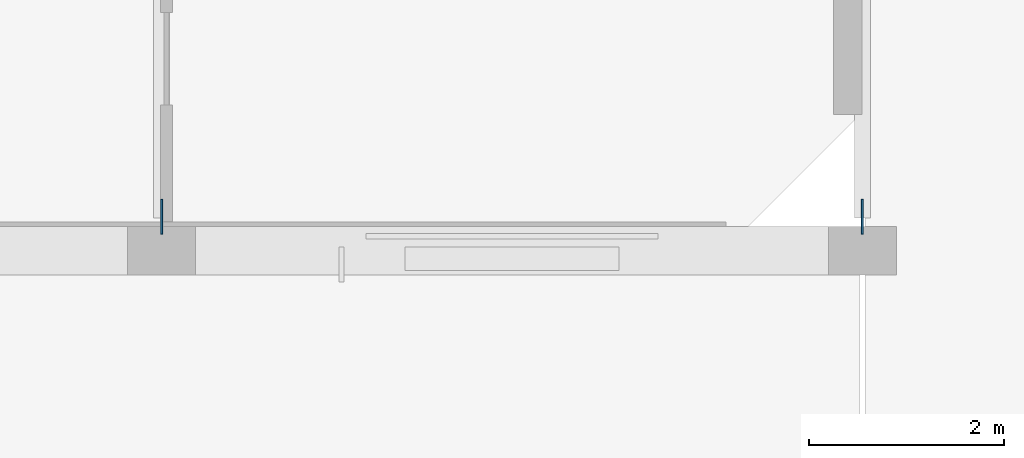
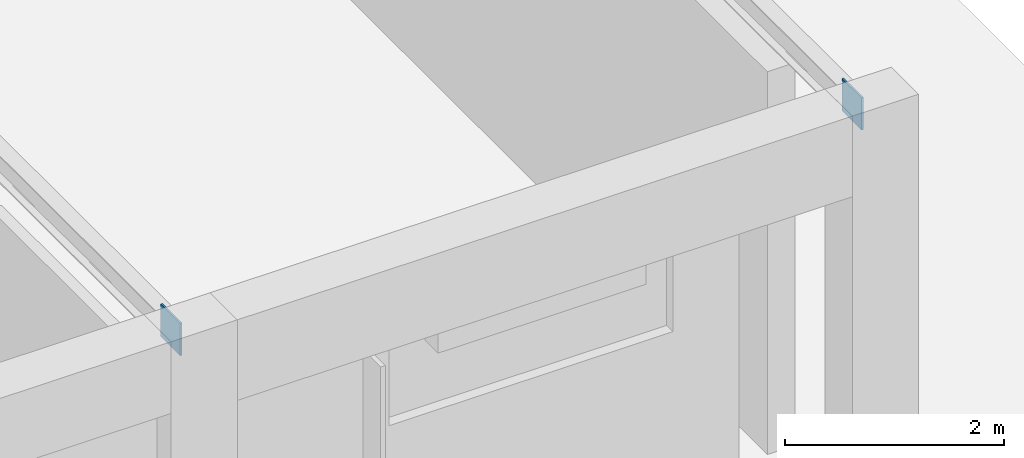
# One storey, part 51 of 85: 2 plates.
"""IFC4 building model written with IfcOpenShell, lengths in metres."""

from ifc_helpers import new_model, si_unit, direction, frame, origin, origin_2d, place, context, subcontext, project, spatial, rectangle, extrude, material, layer, layer_set, type_object, element, save


model = new_model("IFC4")

# Units and contexts
model_context = context("Model", 3, precision=1e-05, world=origin(), true_north=direction((0.0, 1.0)))
body_context = subcontext(model_context, "Body", "Model", "MODEL_VIEW")
ifc_project = project(units=[si_unit("LENGTHUNIT", "METRE"), si_unit("AREAUNIT", "SQUARE_METRE"), si_unit("VOLUMEUNIT", "CUBIC_METRE"), si_unit("PLANEANGLEUNIT", "RADIAN"), si_unit("MASSUNIT", "GRAM", prefix="KILO")], contexts=[model_context])

# Site, building, storey
site_placement = place(None, origin())
site = spatial("IfcSite", under=ifc_project, at=site_placement, CompositionType="ELEMENT")
building_placement = place(site_placement, origin())
building = spatial("IfcBuilding", under=site, at=building_placement, Name="Ochrevale Crest", CompositionType="ELEMENT")
storey_placement = place(building_placement, origin())
storey = spatial("IfcBuildingStorey", under=building, at=storey_placement, Name="L00", CompositionType="ELEMENT", Elevation=0.0)

# Plates
ifc_material = material(Name="Steel S355", Category="steel")
ifc_layer = layer(ifc_material, 0.02001953125)
ifc_layer_set = layer_set([ifc_layer], Name="Steel S355")
plate_type = type_object("IfcPlateType", Name="PLT-GUSSET-20", PredefinedType="USERDEFINED", material=ifc_layer_set)
for number, where, z_axis, x_axis, name in (
    (1, (100.800048828125, 43.550048828125, 4.27001953125), (0.0, 0.0, 1.0), (1.0, 0.0, 0.0), "Vault tie-beam springing gusset plate 7-S"),
    (2, (108.0, 43.550048828125, 4.27001953125), (0.0, 0.0, 1.0), (1.0, 0.0, 0.0), "Vault tie-beam springing gusset plate 8-S"),
):
    element("IfcPlate", number, at=place(storey_placement, frame(where, z_axis=z_axis, x_axis=x_axis)), inside=storey, type_object=plate_type, Name=name, ObjectType="GUSSET PLATE", PredefinedType="USERDEFINED", context=body_context, shape_type="SweptSolid", body=[
        extrude(rectangle(XDim=0.02001953125, YDim=0.360107421875, at=origin_2d()), origin(), (0.0, 0.0, 1.0), 0.360107421875),
    ])

save(model, "model.ifc")
